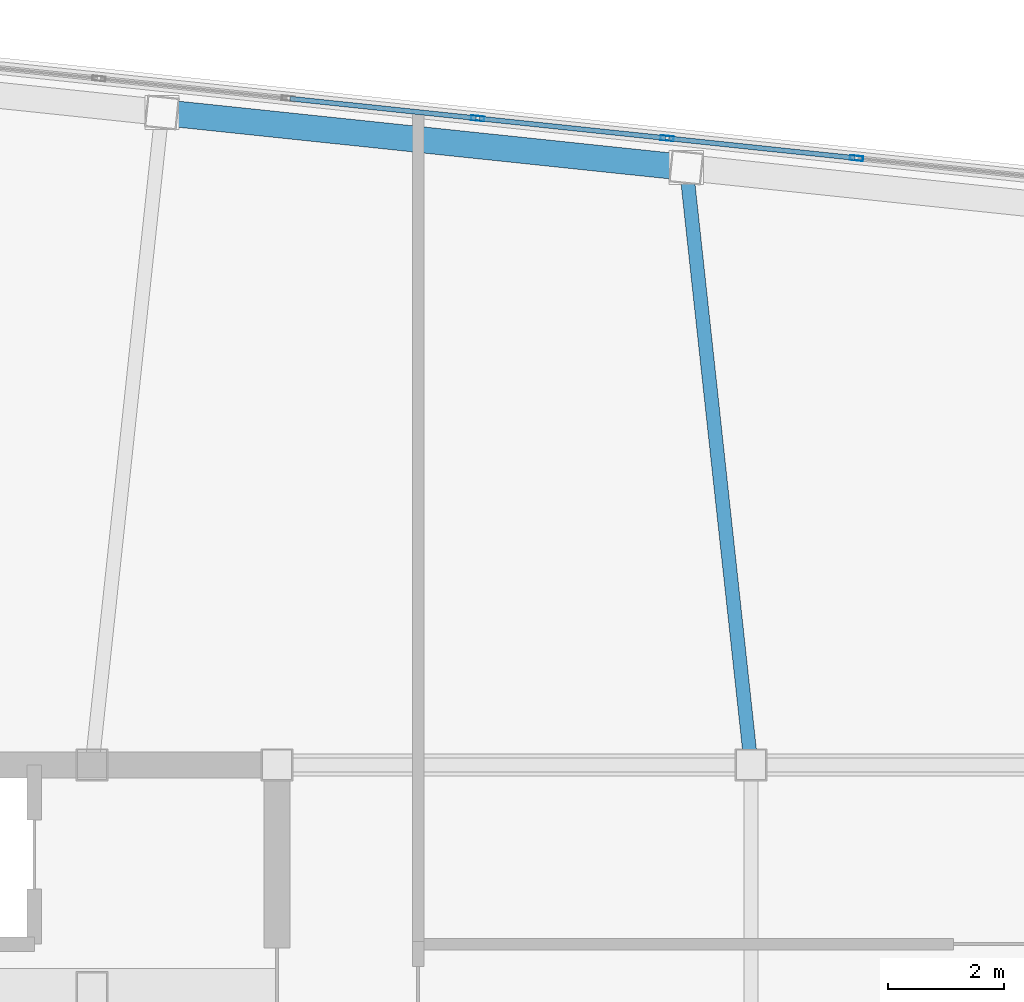
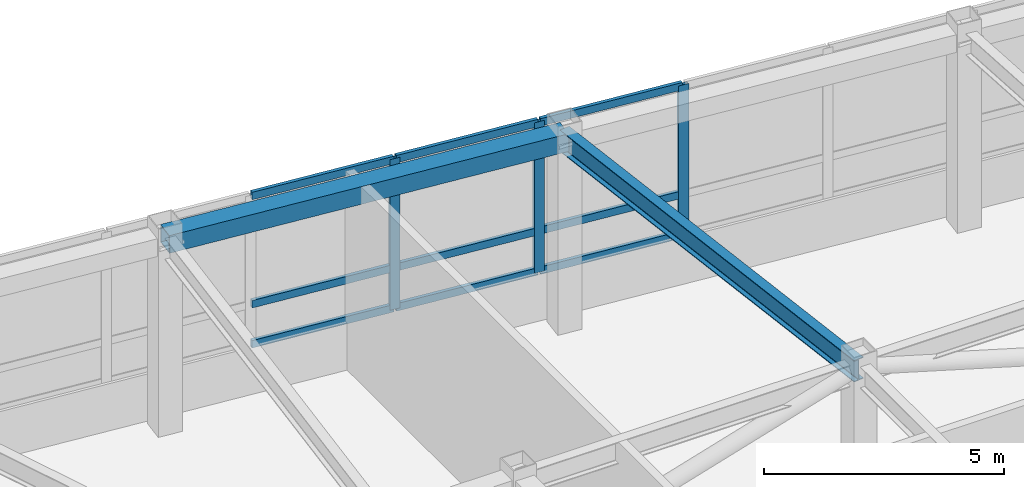
# One storey, part 15 of 23: 12 members, 2 beams, 1 element without a shape of its own.
"""IFC4 building model written with IfcOpenShell, lengths in metres."""

from ifc_helpers import new_model, si_unit, direction, frame, origin, origin_2d, place, context, subcontext, project, spatial, hollow_rectangle, i_section, extrude, material, layer, layer_set, material_profile, profile_set, type_object, element, aggregate, save


model = new_model("IFC4")

# Units and contexts
model_context = context("Model", 3, precision=1e-05, world=origin(), true_north=direction((0.0, 1.0)))
body_context = subcontext(model_context, "Body", "Model", "MODEL_VIEW")
ifc_project = project(units=[si_unit("LENGTHUNIT", "METRE"), si_unit("AREAUNIT", "SQUARE_METRE"), si_unit("VOLUMEUNIT", "CUBIC_METRE"), si_unit("PLANEANGLEUNIT", "RADIAN"), si_unit("MASSUNIT", "GRAM", prefix="KILO")], contexts=[model_context])

# Site, building, storey
site_placement = place(None, origin())
site = spatial("IfcSite", under=ifc_project, at=site_placement, CompositionType="ELEMENT")
building_placement = place(site_placement, origin())
building = spatial("IfcBuilding", under=site, at=building_placement, Name="Voryun Gate Residences", CompositionType="ELEMENT")
storey_placement = place(building_placement, frame((0.0, 0.0, 321.300048828125)))
storey = spatial("IfcBuildingStorey", under=building, at=storey_placement, Name="L79", CompositionType="ELEMENT", Elevation=321.300048828125)

# Beams
ifc_material_1 = material(Name="Steel SM355", Category="steel")
ifc_material_profile_1 = material_profile(ifc_material_1, hollow_rectangle(XDim=0.449951171875, YDim=0.449951171875, WallThickness=0.01806640625, at=origin_2d()), Name="BOX-450x450x18")
ifc_profile_set_1 = profile_set([ifc_material_profile_1], Name="Steel SM355")
beam_type_1 = type_object("IfcBeamType", Name="BM_CROWN_RING", PredefinedType="BEAM", material=ifc_profile_set_1)
beam_1_placement = place(storey_placement, frame((-5.321533203125, 17.731689453125, 4.800048828125), z_axis=(-0.994523919568, 0.104509202498, 0.0), x_axis=(-0.104509202498, -0.994523919568, 0.0)))
element("IfcBeam", 1, at=beam_1_placement, inside=storey, type_object=beam_type_1, Name="BM-L79-SPAND-14", PredefinedType="BEAM", context=body_context, shape_type="SweptSolid", body=[
    extrude(hollow_rectangle(XDim=0.449951171875, YDim=0.449951171875, WallThickness=0.01806640625, at=origin_2d()), origin(), (0.0, 0.0, 1.0), 9.1201171875),
])
ifc_material_2 = material(Name="Steel SM355", Category="steel")
ifc_material_profile_2 = material_profile(ifc_material_2, i_section(OverallWidth=0.239990234375, OverallDepth=0.550048828125, WebThickness=0.011962890625, FlangeThickness=0.02001953125, FilletRadius=0.01806640625, at=origin_2d()), Name="H-550x240x12x20")
ifc_profile_set_2 = profile_set([ifc_material_profile_2], Name="Steel SM355")
beam_type_2 = type_object("IfcBeamType", Name="BM_GIRD_550", PredefinedType="USERDEFINED", material=ifc_profile_set_2)
beam_2_placement = place(storey_placement, frame((-4.199951171875, 7.39990234375, 4.75), z_axis=(-0.107922397085, 0.99415932134, 0.0), x_axis=(-0.99415932134, -0.107922397085, 0.0)))
element("IfcBeam", 2, at=beam_2_placement, inside=storey, type_object=beam_type_2, Name="BM-L79-RAD-N4", ObjectType="GIRDER", PredefinedType="USERDEFINED", context=body_context, shape_type="SweptSolid", body=[
    extrude(i_section(OverallWidth=0.239990234375, OverallDepth=0.550048828125, WebThickness=0.011962890625, FlangeThickness=0.02001953125, FilletRadius=0.01806640625, at=origin_2d()), origin(), (0.0, 0.0, 1.0), 10.392578125),
])

# Curtain wall, members
ifc_material_3 = material(Name="Anodised aluminium", Category="aluminium")
ifc_layer = layer(ifc_material_3, 0.22998046875, Name="CW_SYS_LANTERN_DARK_GLASS")
ifc_layer_set = layer_set([ifc_layer], Name="Anodised aluminium")
curtain_wall_type = type_object("IfcCurtainWallType", Name="CW_SYS_LANTERN_DARK_GLASS", PredefinedType="NOTDEFINED", material=ifc_layer_set)
curtain_wall_placement = place(storey_placement, origin())
curtain_wall = element("IfcCurtainWall", 3, at=curtain_wall_placement, inside=storey, type_object=curtain_wall_type, Name="Curtain wall CW6-L79-11", PredefinedType="NOTDEFINED")
ifc_material_4 = material(Name="Anodised aluminium", Category="aluminium")
ifc_material_profile_3 = material_profile(ifc_material_4, hollow_rectangle(XDim=0.0849609375, YDim=0.22998046875, WallThickness=0.006103515625, at=origin_2d()), Name="ALU-MULL-230x85x6")
ifc_profile_set_3 = profile_set([ifc_material_profile_3], Name="Anodised aluminium")
member_type_1 = type_object("IfcMemberType", Name="CW_MULL_LANT", PredefinedType="MULLION", material=ifc_profile_set_3)
member_1_placement = place(storey_placement, frame((-8.928955078125, 18.583251953125, 1.18994140625), z_axis=(0.0, 0.0, 1.0), x_axis=(0.10452775858, 0.994521969434, 0.0)))
member_1 = element("IfcMember", 4, at=member_1_placement, type_object=member_type_1, Name="CW6 mullion 5", PredefinedType="MULLION", context=body_context, shape_type="SweptSolid", body=[
    extrude(hollow_rectangle(XDim=0.0849609375, YDim=0.22998046875, WallThickness=0.006103515625, at=origin_2d()), origin(), (0.0, 0.0, 1.0), 3.8349609375),
])
member_2_placement = place(storey_placement, frame((-5.65234375, 18.239013671875, 1.18994140625), z_axis=(0.0, 0.0, 1.0), x_axis=(0.10452775858, 0.994521969434, 0.0)))
member_2 = element("IfcMember", 5, at=member_2_placement, type_object=member_type_1, Name="CW6 mullion 6", PredefinedType="MULLION", context=body_context, shape_type="SweptSolid", body=[
    extrude(hollow_rectangle(XDim=0.0849609375, YDim=0.22998046875, WallThickness=0.006103515625, at=origin_2d()), origin(), (0.0, 0.0, 1.0), 3.8349609375),
])
member_3_placement = place(storey_placement, frame((-2.375732421875, 17.89453125, 1.18994140625), z_axis=(0.0, 0.0, 1.0), x_axis=(0.10452775858, 0.994521969434, 0.0)))
member_3 = element("IfcMember", 6, at=member_3_placement, type_object=member_type_1, Name="CW6 mullion 7", PredefinedType="MULLION", context=body_context, shape_type="SweptSolid", body=[
    extrude(hollow_rectangle(XDim=0.0849609375, YDim=0.22998046875, WallThickness=0.006103515625, at=origin_2d()), origin(), (0.0, 0.0, 1.0), 3.8349609375),
])
ifc_material_5 = material(Name="Anodised aluminium", Category="aluminium")
ifc_material_profile_4 = material_profile(ifc_material_5, hollow_rectangle(XDim=0.0849609375, YDim=0.18994140625, WallThickness=0.006103515625, at=origin_2d()), Name="ALU-TRAN-190x85x6")
ifc_profile_set_4 = profile_set([ifc_material_profile_4], Name="Anodised aluminium")
member_type_2 = type_object("IfcMemberType", Name="CW_TRAN_LANT", PredefinedType="USERDEFINED", material=ifc_profile_set_4)
member_4_placement = place(storey_placement, frame((-12.17578125, 18.924560546875, 1.219970703125), z_axis=(0.994521569819, -0.104531560613, 0.0), x_axis=(0.104531560613, 0.994521569819, 0.0)))
member_4 = element("IfcMember", 7, at=member_4_placement, type_object=member_type_2, Name="CW6 transom 4.1", ObjectType="TRANSOM", PredefinedType="USERDEFINED", context=body_context, shape_type="SweptSolid", body=[
    extrude(hollow_rectangle(XDim=0.0849609375, YDim=0.18994140625, WallThickness=0.006103515625, at=origin_2d()), origin(), (0.0, 0.0, 1.0), 3.23486328125),
])
member_5_placement = place(storey_placement, frame((-12.17578125, 18.924560546875, 2.239990234375), z_axis=(0.994521569819, -0.104531560613, 0.0), x_axis=(0.104531560613, 0.994521569819, 0.0)))
member_5 = element("IfcMember", 8, at=member_5_placement, type_object=member_type_2, Name="CW6 transom 4.2", ObjectType="TRANSOM", PredefinedType="USERDEFINED", context=body_context, shape_type="SweptSolid", body=[
    extrude(hollow_rectangle(XDim=0.0849609375, YDim=0.18994140625, WallThickness=0.006103515625, at=origin_2d()), origin(), (0.0, 0.0, 1.0), 3.23486328125),
])
member_6_placement = place(storey_placement, frame((-12.17578125, 18.924560546875, 4.994873046875), z_axis=(0.994521569819, -0.104531560613, 0.0), x_axis=(0.104531560613, 0.994521569819, 0.0)))
member_6 = element("IfcMember", 9, at=member_6_placement, type_object=member_type_2, Name="CW6 transom 4.3", ObjectType="TRANSOM", PredefinedType="USERDEFINED", context=body_context, shape_type="SweptSolid", body=[
    extrude(hollow_rectangle(XDim=0.0849609375, YDim=0.18994140625, WallThickness=0.006103515625, at=origin_2d()), origin(), (0.0, 0.0, 1.0), 3.23486328125),
])
member_7_placement = place(storey_placement, frame((-8.899169921875, 18.580322265625, 1.219970703125), z_axis=(0.994521569819, -0.104531560613, 0.0), x_axis=(0.104531560613, 0.994521569819, 0.0)))
member_7 = element("IfcMember", 10, at=member_7_placement, type_object=member_type_2, Name="CW6 transom 5.1", ObjectType="TRANSOM", PredefinedType="USERDEFINED", context=body_context, shape_type="SweptSolid", body=[
    extrude(hollow_rectangle(XDim=0.0849609375, YDim=0.18994140625, WallThickness=0.006103515625, at=origin_2d()), origin(), (0.0, 0.0, 1.0), 3.23486328125),
])
member_8_placement = place(storey_placement, frame((-8.899169921875, 18.580322265625, 2.239990234375), z_axis=(0.994521569819, -0.104531560613, 0.0), x_axis=(0.104531560613, 0.994521569819, 0.0)))
member_8 = element("IfcMember", 11, at=member_8_placement, type_object=member_type_2, Name="CW6 transom 5.2", ObjectType="TRANSOM", PredefinedType="USERDEFINED", context=body_context, shape_type="SweptSolid", body=[
    extrude(hollow_rectangle(XDim=0.0849609375, YDim=0.18994140625, WallThickness=0.006103515625, at=origin_2d()), origin(), (0.0, 0.0, 1.0), 3.23486328125),
])
member_9_placement = place(storey_placement, frame((-8.899169921875, 18.580322265625, 4.994873046875), z_axis=(0.994521569819, -0.104531560613, 0.0), x_axis=(0.104531560613, 0.994521569819, 0.0)))
member_9 = element("IfcMember", 12, at=member_9_placement, type_object=member_type_2, Name="CW6 transom 5.3", ObjectType="TRANSOM", PredefinedType="USERDEFINED", context=body_context, shape_type="SweptSolid", body=[
    extrude(hollow_rectangle(XDim=0.0849609375, YDim=0.18994140625, WallThickness=0.006103515625, at=origin_2d()), origin(), (0.0, 0.0, 1.0), 3.23486328125),
])
member_10_placement = place(storey_placement, frame((-5.62255859375, 18.23583984375, 1.219970703125), z_axis=(0.994521569819, -0.104531560613, 0.0), x_axis=(0.104531560613, 0.994521569819, 0.0)))
member_10 = element("IfcMember", 13, at=member_10_placement, type_object=member_type_2, Name="CW6 transom 6.1", ObjectType="TRANSOM", PredefinedType="USERDEFINED", context=body_context, shape_type="SweptSolid", body=[
    extrude(hollow_rectangle(XDim=0.0849609375, YDim=0.18994140625, WallThickness=0.006103515625, at=origin_2d()), origin(), (0.0, 0.0, 1.0), 3.23486328125),
])
member_11_placement = place(storey_placement, frame((-5.62255859375, 18.23583984375, 2.239990234375), z_axis=(0.994521569819, -0.104531560613, 0.0), x_axis=(0.104531560613, 0.994521569819, 0.0)))
member_11 = element("IfcMember", 14, at=member_11_placement, type_object=member_type_2, Name="CW6 transom 6.2", ObjectType="TRANSOM", PredefinedType="USERDEFINED", context=body_context, shape_type="SweptSolid", body=[
    extrude(hollow_rectangle(XDim=0.0849609375, YDim=0.18994140625, WallThickness=0.006103515625, at=origin_2d()), origin(), (0.0, 0.0, 1.0), 3.23486328125),
])
member_12_placement = place(storey_placement, frame((-5.62255859375, 18.23583984375, 4.994873046875), z_axis=(0.994521569819, -0.104531560613, 0.0), x_axis=(0.104531560613, 0.994521569819, 0.0)))
member_12 = element("IfcMember", 15, at=member_12_placement, type_object=member_type_2, Name="CW6 transom 6.3", ObjectType="TRANSOM", PredefinedType="USERDEFINED", context=body_context, shape_type="SweptSolid", body=[
    extrude(hollow_rectangle(XDim=0.0849609375, YDim=0.18994140625, WallThickness=0.006103515625, at=origin_2d()), origin(), (0.0, 0.0, 1.0), 3.23486328125),
])
aggregate(curtain_wall, [member_1, member_2, member_3, member_4, member_5, member_6, member_7, member_8, member_9, member_10, member_11, member_12])

save(model, "model.ifc")
